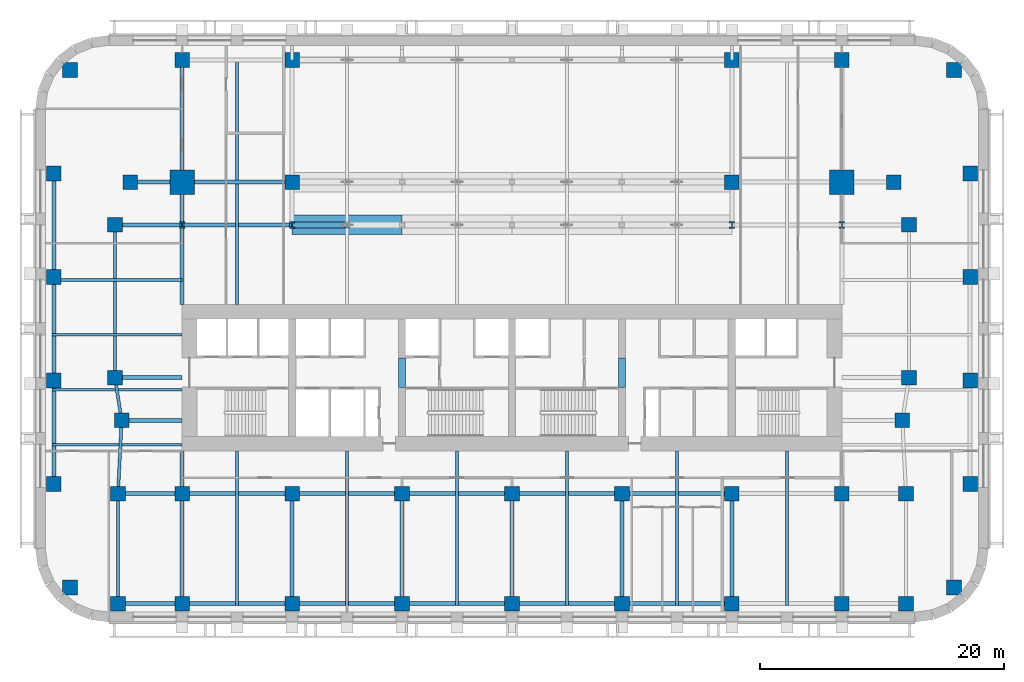
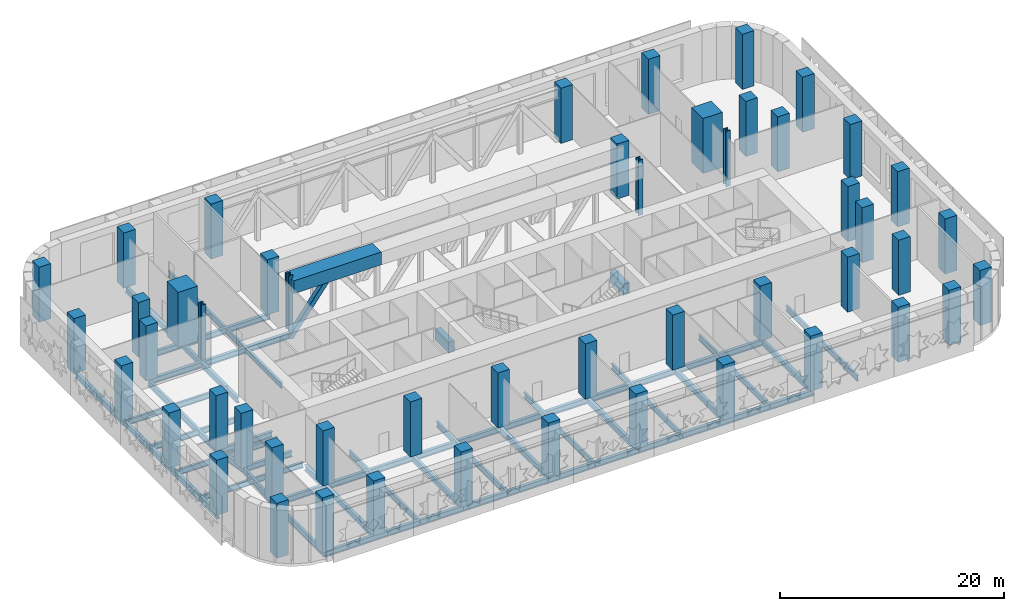
# One storey, part 1 of 15: 50 columns, 38 beams, 1 member.
"""IFC4 building model written with IfcOpenShell, lengths in metres."""

from ifc_helpers import new_model, si_unit, direction, frame, origin, origin_2d, place, context, subcontext, project, spatial, rectangle, hollow_rectangle, i_section, extrude, material, material_profile, profile_set, type_object, element, save


model = new_model("IFC4")

# Units and contexts
model_context = context("Model", 3, precision=1e-05, world=origin(), true_north=direction((0.0, 1.0)))
body_context = subcontext(model_context, "Body", "Model", "MODEL_VIEW")
ifc_project = project(units=[si_unit("LENGTHUNIT", "METRE"), si_unit("AREAUNIT", "SQUARE_METRE"), si_unit("VOLUMEUNIT", "CUBIC_METRE"), si_unit("PLANEANGLEUNIT", "RADIAN"), si_unit("MASSUNIT", "GRAM", prefix="KILO")], contexts=[model_context])

# Site, building, storey
site_placement = place(None, origin())
site = spatial("IfcSite", under=ifc_project, at=site_placement, CompositionType="ELEMENT")
building_placement = place(site_placement, origin())
building = spatial("IfcBuilding", under=site, at=building_placement, Name="Zellij Exchange Tower", CompositionType="ELEMENT")
storey_placement = place(building_placement, frame((0.0, 0.0, 33.0)))
storey = spatial("IfcBuildingStorey", under=building, at=storey_placement, Name="L05", CompositionType="ELEMENT", Elevation=33.0)

# Columns
ifc_material_1 = material(Name="Concrete C70/85", Category="concrete")
ifc_material_profile_1 = material_profile(ifc_material_1, rectangle(XDim=1.199951171875, YDim=1.199951171875, at=origin_2d()), Name="STR-COLUMN RC1200x1200 C70/85")
ifc_profile_set_1 = profile_set([ifc_material_profile_1], Name="Concrete C70/85")
column_type_1 = type_object("IfcColumnType", Name="STR-COLUMN RC1200x1200 C70/85", PredefinedType="COLUMN", material=ifc_profile_set_1)
for number, where, z_axis, x_axis, name in (
    (1, (-32.25, -26.5, 0.0), (0.0, 0.0, 1.0), (1.0, 0.0, 0.0), "C12"),
    (2, (-27.0, -26.5, 0.0), (0.0, 0.0, 1.0), (1.0, 0.0, 0.0), "C12"),
    (3, (-18.0, -26.5, 0.0), (0.0, 0.0, 1.0), (1.0, 0.0, 0.0), "C12"),
    (4, (-9.0, -26.5, 0.0), (0.0, 0.0, 1.0), (1.0, 0.0, 0.0), "C12"),
    (5, (0.0, -26.5, 0.0), (0.0, 0.0, 1.0), (1.0, 0.0, 0.0), "C12"),
    (6, (9.0, -26.5, 0.0), (0.0, 0.0, 1.0), (1.0, 0.0, 0.0), "C12"),
    (7, (18.0, -26.5, 0.0), (0.0, 0.0, 1.0), (1.0, 0.0, 0.0), "C12"),
    (8, (27.0, -26.5, 0.0), (0.0, 0.0, 1.0), (1.0, 0.0, 0.0), "C12"),
    (9, (32.25, -26.5, 0.0), (0.0, 0.0, 1.0), (1.0, 0.0, 0.0), "C12"),
    (10, (-36.181884765625, -25.181884765625, 0.0), (0.0, 0.0, 1.0), (1.0, 0.0, 0.0), "C12"),
    (11, (36.181884765625, -25.181884765625, 0.0), (0.0, 0.0, 1.0), (1.0, 0.0, 0.0), "C12"),
    (12, (-32.25, -17.5, 0.0), (0.0, 0.0, 1.0), (1.0, 0.0, 0.0), "C12"),
    (13, (-27.0, -17.5, 0.0), (0.0, 0.0, 1.0), (1.0, 0.0, 0.0), "C12"),
    (14, (-18.0, -17.5, 0.0), (0.0, 0.0, 1.0), (1.0, 0.0, 0.0), "C12"),
    (15, (-9.0, -17.5, 0.0), (0.0, 0.0, 1.0), (1.0, 0.0, 0.0), "C12"),
    (16, (0.0, -17.5, 0.0), (0.0, 0.0, 1.0), (1.0, 0.0, 0.0), "C12"),
    (17, (9.0, -17.5, 0.0), (0.0, 0.0, 1.0), (1.0, 0.0, 0.0), "C12"),
    (18, (18.0, -17.5, 0.0), (0.0, 0.0, 1.0), (1.0, 0.0, 0.0), "C12"),
    (19, (27.0, -17.5, 0.0), (0.0, 0.0, 1.0), (1.0, 0.0, 0.0), "C12"),
    (20, (32.25, -17.5, 0.0), (0.0, 0.0, 1.0), (1.0, 0.0, 0.0), "C12"),
    (21, (-37.5, -16.709228515625, 0.0), (0.0, 0.0, 1.0), (1.0, 0.0, 0.0), "C12"),
    (22, (37.5, -16.709228515625, 0.0), (0.0, 0.0, 1.0), (1.0, 0.0, 0.0), "C12"),
    (23, (-31.949951171875, -11.5, 0.0), (0.0, 0.0, 1.0), (1.0, 0.0, 0.0), "C12"),
    (24, (31.949951171875, -11.5, 0.0), (0.0, 0.0, 1.0), (1.0, 0.0, 0.0), "C12"),
    (25, (-37.5, -8.236328125, 0.0), (0.0, 0.0, 1.0), (1.0, 0.0, 0.0), "C12"),
    (26, (37.5, -8.236328125, 0.0), (0.0, 0.0, 1.0), (1.0, 0.0, 0.0), "C12"),
    (27, (-32.5, -8.0, 0.0), (0.0, 0.0, 1.0), (1.0, 0.0, 0.0), "C12"),
    (28, (32.5, -8.0, 0.0), (0.0, 0.0, 1.0), (1.0, 0.0, 0.0), "C12"),
    (29, (-37.5, 0.236328125, 0.0), (0.0, 0.0, 1.0), (1.0, 0.0, 0.0), "C12"),
    (30, (37.5, 0.236328125, 0.0), (0.0, 0.0, 1.0), (1.0, 0.0, 0.0), "C12"),
    (31, (-32.5, 4.5, 0.0), (0.0, 0.0, 1.0), (1.0, 0.0, 0.0), "C12"),
    (32, (32.5, 4.5, 0.0), (0.0, 0.0, 1.0), (1.0, 0.0, 0.0), "C12"),
    (33, (-31.25, 8.0, 0.0), (0.0, 0.0, 1.0), (1.0, 0.0, 0.0), "C12"),
    (34, (-18.0, 8.0, 0.0), (0.0, 0.0, 1.0), (1.0, 0.0, 0.0), "C12"),
    (35, (18.0, 8.0, 0.0), (0.0, 0.0, 1.0), (1.0, 0.0, 0.0), "C12"),
    (36, (31.25, 8.0, 0.0), (0.0, 0.0, 1.0), (1.0, 0.0, 0.0), "C12"),
    (37, (-37.5, 8.709228515625, 0.0), (0.0, 0.0, 1.0), (1.0, 0.0, 0.0), "C12"),
    (38, (37.5, 8.709228515625, 0.0), (0.0, 0.0, 1.0), (1.0, 0.0, 0.0), "C12"),
    (39, (-36.181884765625, 17.181884765625, 0.0), (0.0, 0.0, 1.0), (1.0, 0.0, 0.0), "C12"),
    (40, (36.181884765625, 17.181884765625, 0.0), (0.0, 0.0, 1.0), (1.0, 0.0, 0.0), "C12"),
    (41, (-27.0, 18.0, 0.0), (0.0, 0.0, 1.0), (1.0, 0.0, 0.0), "C12"),
    (42, (-18.0, 18.0, 0.0), (0.0, 0.0, 1.0), (1.0, 0.0, 0.0), "C12"),
    (43, (18.0, 18.0, 0.0), (0.0, 0.0, 1.0), (1.0, 0.0, 0.0), "C12"),
    (44, (27.0, 18.0, 0.0), (0.0, 0.0, 1.0), (1.0, 0.0, 0.0), "C12"),
):
    element("IfcColumn", number, at=place(storey_placement, frame(where, z_axis=z_axis, x_axis=x_axis)), inside=storey, type_object=column_type_1, Name=name, PredefinedType="COLUMN", context=body_context, shape_type="SweptSolid", body=[
        extrude(rectangle(XDim=1.199951171875, YDim=1.199951171875, at=origin_2d()), origin(), (0.0, 0.0, 1.0), 6.0),
    ])
ifc_material_2 = material(Name="Structural steel ASTM A913 Gr 65", Category="steel")
ifc_material_profile_2 = material_profile(ifc_material_2, i_section(OverallWidth=0.45458984375, OverallDepth=0.56884765625, WebThickness=0.077880859375, FlangeThickness=0.124755859375, at=origin_2d()), Name="W14x730")
ifc_profile_set_2 = profile_set([ifc_material_profile_2], Name="Structural steel ASTM A913 Gr 65")
column_type_2 = type_object("IfcColumnType", Name="STR-COLUMN W14x730", PredefinedType="COLUMN", material=ifc_profile_set_2)
for number, where, z_axis, x_axis, name in (
    (45, (-27.0, 4.5, 0.0), (0.0, 0.0, 1.0), (1.0, 0.0, 0.0), "C7"),
    (46, (-18.0, 4.5, 0.0), (0.0, 0.0, 1.0), (1.0, 0.0, 0.0), "C7"),
    (47, (18.0, 4.5, 0.0), (0.0, 0.0, 1.0), (1.0, 0.0, 0.0), "C7"),
    (48, (27.0, 4.5, 0.0), (0.0, 0.0, 1.0), (1.0, 0.0, 0.0), "C7"),
):
    element("IfcColumn", number, at=place(storey_placement, frame(where, z_axis=z_axis, x_axis=x_axis)), inside=storey, type_object=column_type_2, Name=name, PredefinedType="COLUMN", context=body_context, shape_type="SweptSolid", body=[
        extrude(i_section(OverallWidth=0.45458984375, OverallDepth=0.56884765625, WebThickness=0.077880859375, FlangeThickness=0.124755859375, at=origin_2d()), origin(), (0.0, 0.0, 1.0), 6.0),
    ])
ifc_material_profile_3 = material_profile(ifc_material_1, rectangle(XDim=2.0, YDim=2.0, at=origin_2d()), Name="STR-MEGA COLUMN RC2000x2000 C70/85")
ifc_profile_set_3 = profile_set([ifc_material_profile_3], Name="Concrete C70/85")
column_type_3 = type_object("IfcColumnType", Name="STR-MEGA COLUMN RC2000x2000 C70/85", PredefinedType="COLUMN", material=ifc_profile_set_3)
for number, where, z_axis, x_axis, name in (
    (49, (-27.0, 8.0, 0.0), (0.0, 0.0, 1.0), (1.0, 0.0, 0.0), "MC8"),
    (50, (27.0, 8.0, 0.0), (0.0, 0.0, 1.0), (1.0, 0.0, 0.0), "MC8"),
):
    element("IfcColumn", number, at=place(storey_placement, frame(where, z_axis=z_axis, x_axis=x_axis)), inside=storey, type_object=column_type_3, Name=name, PredefinedType="COLUMN", context=body_context, shape_type="SweptSolid", body=[
        extrude(rectangle(XDim=2.0, YDim=2.0, at=origin_2d()), origin(), (0.0, 0.0, 1.0), 6.0),
    ])

# Beams
ifc_material_profile_4 = material_profile(ifc_material_1, rectangle(XDim=0.60009765625, YDim=1.199951171875, at=origin_2d()), Name="CORE-CB 600x1200 C70/85")
ifc_profile_set_4 = profile_set([ifc_material_profile_4], Name="Concrete C70/85")
beam_type_1 = type_object("IfcBeamType", Name="CORE-CB 600x1200 C70/85", PredefinedType="BEAM", material=ifc_profile_set_4)
for number, where, z_axis, x_axis, name in (
    (51, (-9.0, -8.800048828125, 3.0), (0.0, 1.0, 0.0), (-1.0, 0.0, 0.0), "Core coupling beam x -9 L05"),
    (52, (9.0, -8.800048828125, 3.0), (0.0, 1.0, 0.0), (-1.0, 0.0, 0.0), "Core coupling beam x 9 L05"),
):
    element("IfcBeam", number, at=place(storey_placement, frame(where, z_axis=z_axis, x_axis=x_axis)), inside=storey, type_object=beam_type_1, Name=name, PredefinedType="BEAM", context=body_context, shape_type="SweptSolid", body=[
        extrude(rectangle(XDim=0.60009765625, YDim=1.199951171875, at=origin_2d()), origin(), (0.0, 0.0, 1.0), 2.425048828125),
    ])
ifc_material_3 = material(Name="Structural steel ASTM A992 Gr 50", Category="steel")
ifc_material_profile_5 = material_profile(ifc_material_3, i_section(OverallWidth=0.22900390625, OverallDepth=0.612060546875, WebThickness=0.011962890625, FlangeThickness=0.01953125, at=origin_2d()), Name="W24x84")
ifc_profile_set_5 = profile_set([ifc_material_profile_5], Name="Structural steel ASTM A992 Gr 50")
beam_type_2 = type_object("IfcBeamType", Name="STR-BEAM W24x84", PredefinedType="BEAM", material=ifc_profile_set_5)
beam_1_placement = place(storey_placement, frame((-22.5, -26.66259765625, -0.606201171875), z_axis=(0.0, 1.0, 0.0), x_axis=(-1.0, 0.0, 0.0)))
element("IfcBeam", 53, at=beam_1_placement, inside=storey, type_object=beam_type_2, Name="B6", PredefinedType="BEAM", context=body_context, shape_type="SweptSolid", body=[
    extrude(i_section(OverallWidth=0.22900390625, OverallDepth=0.612060546875, WebThickness=0.011962890625, FlangeThickness=0.01953125, at=origin_2d()), origin(), (0.0, 0.0, 1.0), 12.66259765625),
])
beam_2_placement = place(storey_placement, frame((-22.5, -2.0, -0.606201171875), z_axis=(0.0, 1.0, 0.0), x_axis=(-1.0, 0.0, 0.0)))
element("IfcBeam", 54, at=beam_2_placement, inside=storey, type_object=beam_type_2, Name="B6", PredefinedType="BEAM", context=body_context, shape_type="SweptSolid", body=[
    extrude(i_section(OverallWidth=0.22900390625, OverallDepth=0.612060546875, WebThickness=0.011962890625, FlangeThickness=0.01953125, at=origin_2d()), origin(), (0.0, 0.0, 1.0), 20.16259765625),
])
for number, where, z_axis, x_axis, name in (
    (55, (-13.5, -26.66259765625, -0.606201171875), (0.0, 1.0, 0.0), (-1.0, 0.0, 0.0), "B6"),
    (56, (-4.5, -26.66259765625, -0.606201171875), (0.0, 1.0, 0.0), (-1.0, 0.0, 0.0), "B6"),
    (57, (4.5, -26.66259765625, -0.606201171875), (0.0, 1.0, 0.0), (-1.0, 0.0, 0.0), "B6"),
    (58, (13.5, -26.66259765625, -0.606201171875), (0.0, 1.0, 0.0), (-1.0, 0.0, 0.0), "B6"),
    (59, (22.5, -26.66259765625, -0.606201171875), (0.0, 1.0, 0.0), (-1.0, 0.0, 0.0), "B6"),
):
    element("IfcBeam", number, at=place(storey_placement, frame(where, z_axis=z_axis, x_axis=x_axis)), inside=storey, type_object=beam_type_2, Name=name, PredefinedType="BEAM", context=body_context, shape_type="SweptSolid", body=[
        extrude(i_section(OverallWidth=0.22900390625, OverallDepth=0.612060546875, WebThickness=0.011962890625, FlangeThickness=0.01953125, at=origin_2d()), origin(), (0.0, 0.0, 1.0), 12.66259765625),
    ])
for number, where, z_axis, x_axis, name in (
    (60, (-37.66259765625, -13.5, -0.606201171875), (1.0, 0.0, 0.0), (0.0, 1.0, 0.0), "B6"),
    (61, (-37.66259765625, -9.0, -0.606201171875), (1.0, 0.0, 0.0), (0.0, 1.0, 0.0), "B6"),
    (62, (-37.66259765625, -4.5, -0.606201171875), (1.0, 0.0, 0.0), (0.0, 1.0, 0.0), "B6"),
    (63, (-37.66259765625, 0.0, -0.606201171875), (1.0, 0.0, 0.0), (0.0, 1.0, 0.0), "B6"),
):
    element("IfcBeam", number, at=place(storey_placement, frame(where, z_axis=z_axis, x_axis=x_axis)), inside=storey, type_object=beam_type_2, Name=name, PredefinedType="BEAM", context=body_context, shape_type="SweptSolid", body=[
        extrude(i_section(OverallWidth=0.22900390625, OverallDepth=0.612060546875, WebThickness=0.011962890625, FlangeThickness=0.01953125, at=origin_2d()), origin(), (0.0, 0.0, 1.0), 10.66259765625),
    ])
ifc_material_profile_6 = material_profile(ifc_material_3, i_section(OverallWidth=0.25390625, OverallDepth=0.67822265625, WebThickness=0.01171875, FlangeThickness=0.016357421875, at=origin_2d()), Name="W27x84")
ifc_profile_set_6 = profile_set([ifc_material_profile_6], Name="Structural steel ASTM A992 Gr 50")
beam_type_3 = type_object("IfcBeamType", Name="STR-EDGE GIRDER W27x84", PredefinedType="BEAM", material=ifc_profile_set_6)
beam_3_placement = place(storey_placement, frame((-32.25, -26.5, -0.63916015625), z_axis=(0.0, 1.0, 0.0), x_axis=(-1.0, 0.0, 0.0)))
element("IfcBeam", 64, at=beam_3_placement, inside=storey, type_object=beam_type_3, Name="EB7", PredefinedType="BEAM", context=body_context, shape_type="SweptSolid", body=[
    extrude(i_section(OverallWidth=0.25390625, OverallDepth=0.67822265625, WebThickness=0.01171875, FlangeThickness=0.016357421875, at=origin_2d()), origin(), (0.0, 0.0, 1.0), 9.0),
])
beam_4_placement = place(storey_placement, frame((-32.25, -17.5, -0.63916015625), z_axis=(0.049945724537, 0.998751933465, 0.0), x_axis=(-0.998751933465, 0.049945724537, 0.0)))
element("IfcBeam", 65, at=beam_4_placement, inside=storey, type_object=beam_type_3, Name="EB7", PredefinedType="BEAM", context=body_context, shape_type="SweptSolid", body=[
    extrude(i_section(OverallWidth=0.25390625, OverallDepth=0.67822265625, WebThickness=0.01171875, FlangeThickness=0.016357421875, at=origin_2d()), origin(), (0.0, 0.0, 1.0), 6.007568359375),
])
beam_5_placement = place(storey_placement, frame((-31.949951171875, -11.5, -0.63916015625), z_axis=(-0.155251283593, 0.987875011802, 0.0), x_axis=(-0.987875011802, -0.155251283593, 0.0)))
element("IfcBeam", 66, at=beam_5_placement, inside=storey, type_object=beam_type_3, Name="EB7", PredefinedType="BEAM", context=body_context, shape_type="SweptSolid", body=[
    extrude(i_section(OverallWidth=0.25390625, OverallDepth=0.67822265625, WebThickness=0.01171875, FlangeThickness=0.016357421875, at=origin_2d()), origin(), (0.0, 0.0, 1.0), 3.54296875),
])
beam_6_placement = place(storey_placement, frame((-32.5, -8.0, -0.63916015625), z_axis=(0.0, 1.0, 0.0), x_axis=(-1.0, 0.0, 0.0)))
element("IfcBeam", 67, at=beam_6_placement, inside=storey, type_object=beam_type_3, Name="EB7", PredefinedType="BEAM", context=body_context, shape_type="SweptSolid", body=[
    extrude(i_section(OverallWidth=0.25390625, OverallDepth=0.67822265625, WebThickness=0.01171875, FlangeThickness=0.016357421875, at=origin_2d()), origin(), (0.0, 0.0, 1.0), 12.5),
])
ifc_material_profile_7 = material_profile(ifc_material_3, i_section(OverallWidth=0.3251953125, OverallDepth=0.612060546875, WebThickness=0.0126953125, FlangeThickness=0.01904296875, at=origin_2d()), Name="W24x104")
ifc_profile_set_7 = profile_set([ifc_material_profile_7], Name="Structural steel ASTM A992 Gr 50")
beam_type_4 = type_object("IfcBeamType", Name="STR-GIRDER W24x104", PredefinedType="BEAM", material=ifc_profile_set_7)
beam_7_placement = place(storey_placement, frame((-32.25, -26.5, -0.606201171875), z_axis=(1.0, 0.0, 0.0), x_axis=(0.0, 1.0, 0.0)))
element("IfcBeam", 68, at=beam_7_placement, inside=storey, type_object=beam_type_4, Name="G3", PredefinedType="BEAM", context=body_context, shape_type="SweptSolid", body=[
    extrude(i_section(OverallWidth=0.3251953125, OverallDepth=0.612060546875, WebThickness=0.0126953125, FlangeThickness=0.01904296875, at=origin_2d()), origin(), (0.0, 0.0, 1.0), 14.25),
])
for number, where, z_axis, x_axis, name in (
    (69, (-18.0, -26.5, -0.606201171875), (1.0, 0.0, 0.0), (0.0, 1.0, 0.0), "G3"),
    (70, (0.0, -26.5, -0.606201171875), (1.0, 0.0, 0.0), (0.0, 1.0, 0.0), "G3"),
):
    element("IfcBeam", number, at=place(storey_placement, frame(where, z_axis=z_axis, x_axis=x_axis)), inside=storey, type_object=beam_type_4, Name=name, PredefinedType="BEAM", context=body_context, shape_type="SweptSolid", body=[
        extrude(i_section(OverallWidth=0.3251953125, OverallDepth=0.612060546875, WebThickness=0.0126953125, FlangeThickness=0.01904296875, at=origin_2d()), origin(), (0.0, 0.0, 1.0), 18.0),
    ])
beam_8_placement = place(storey_placement, frame((-32.25, -17.5, -0.606201171875), z_axis=(1.0, 0.0, 0.0), x_axis=(0.0, 1.0, 0.0)))
element("IfcBeam", 71, at=beam_8_placement, inside=storey, type_object=beam_type_4, Name="G3", PredefinedType="BEAM", context=body_context, shape_type="SweptSolid", body=[
    extrude(i_section(OverallWidth=0.3251953125, OverallDepth=0.612060546875, WebThickness=0.0126953125, FlangeThickness=0.01904296875, at=origin_2d()), origin(), (0.0, 0.0, 1.0), 14.25),
])
for number, where, z_axis, x_axis, name in (
    (72, (-18.0, -17.5, -0.606201171875), (1.0, 0.0, 0.0), (0.0, 1.0, 0.0), "G3"),
    (73, (0.0, -17.5, -0.606201171875), (1.0, 0.0, 0.0), (0.0, 1.0, 0.0), "G3"),
):
    element("IfcBeam", number, at=place(storey_placement, frame(where, z_axis=z_axis, x_axis=x_axis)), inside=storey, type_object=beam_type_4, Name=name, PredefinedType="BEAM", context=body_context, shape_type="SweptSolid", body=[
        extrude(i_section(OverallWidth=0.3251953125, OverallDepth=0.612060546875, WebThickness=0.0126953125, FlangeThickness=0.01904296875, at=origin_2d()), origin(), (0.0, 0.0, 1.0), 18.0),
    ])
beam_9_placement = place(storey_placement, frame((-31.949951171875, -11.5, -0.606201171875), z_axis=(1.0, 0.0, 0.0), x_axis=(0.0, 1.0, 0.0)))
element("IfcBeam", 74, at=beam_9_placement, inside=storey, type_object=beam_type_4, Name="G3", PredefinedType="BEAM", context=body_context, shape_type="SweptSolid", body=[
    extrude(i_section(OverallWidth=0.3251953125, OverallDepth=0.612060546875, WebThickness=0.0126953125, FlangeThickness=0.01904296875, at=origin_2d()), origin(), (0.0, 0.0, 1.0), 4.949951171875),
])
beam_10_placement = place(storey_placement, frame((-32.5, -8.0, -0.606201171875), z_axis=(1.0, 0.0, 0.0), x_axis=(0.0, 1.0, 0.0)))
element("IfcBeam", 75, at=beam_10_placement, inside=storey, type_object=beam_type_4, Name="G3", PredefinedType="BEAM", context=body_context, shape_type="SweptSolid", body=[
    extrude(i_section(OverallWidth=0.3251953125, OverallDepth=0.612060546875, WebThickness=0.0126953125, FlangeThickness=0.01904296875, at=origin_2d()), origin(), (0.0, 0.0, 1.0), 5.5),
])
beam_11_placement = place(storey_placement, frame((-32.5, 4.5, -0.606201171875), z_axis=(1.0, 0.0, 0.0), x_axis=(0.0, 1.0, 0.0)))
element("IfcBeam", 76, at=beam_11_placement, inside=storey, type_object=beam_type_4, Name="G3", PredefinedType="BEAM", context=body_context, shape_type="SweptSolid", body=[
    extrude(i_section(OverallWidth=0.3251953125, OverallDepth=0.612060546875, WebThickness=0.0126953125, FlangeThickness=0.01904296875, at=origin_2d()), origin(), (0.0, 0.0, 1.0), 14.5),
])
beam_12_placement = place(storey_placement, frame((-31.25, 8.0, -0.606201171875), z_axis=(1.0, 0.0, 0.0), x_axis=(0.0, 1.0, 0.0)))
element("IfcBeam", 77, at=beam_12_placement, inside=storey, type_object=beam_type_4, Name="G3", PredefinedType="BEAM", context=body_context, shape_type="SweptSolid", body=[
    extrude(i_section(OverallWidth=0.3251953125, OverallDepth=0.612060546875, WebThickness=0.0126953125, FlangeThickness=0.01904296875, at=origin_2d()), origin(), (0.0, 0.0, 1.0), 13.25),
])
beam_13_placement = place(storey_placement, frame((-37.5, -16.708984375, -0.606201171875), z_axis=(0.0, 1.0, 0.0), x_axis=(-1.0, 0.0, 0.0)))
element("IfcBeam", 78, at=beam_13_placement, inside=storey, type_object=beam_type_4, Name="G3", PredefinedType="BEAM", context=body_context, shape_type="SweptSolid", body=[
    extrude(i_section(OverallWidth=0.3251953125, OverallDepth=0.612060546875, WebThickness=0.0126953125, FlangeThickness=0.01904296875, at=origin_2d()), origin(), (0.0, 0.0, 1.0), 16.945068359375),
])
beam_14_placement = place(storey_placement, frame((-37.5, 0.236083984375, -0.606201171875), z_axis=(0.0, 1.0, 0.0), x_axis=(-1.0, 0.0, 0.0)))
element("IfcBeam", 79, at=beam_14_placement, inside=storey, type_object=beam_type_4, Name="G3", PredefinedType="BEAM", context=body_context, shape_type="SweptSolid", body=[
    extrude(i_section(OverallWidth=0.3251953125, OverallDepth=0.612060546875, WebThickness=0.0126953125, FlangeThickness=0.01904296875, at=origin_2d()), origin(), (0.0, 0.0, 1.0), 8.472900390625),
])
beam_15_placement = place(storey_placement, frame((-27.0, -26.5, -0.606201171875), z_axis=(0.0, 1.0, 0.0), x_axis=(-1.0, 0.0, 0.0)))
element("IfcBeam", 80, at=beam_15_placement, inside=storey, type_object=beam_type_4, Name="G3", PredefinedType="BEAM", context=body_context, shape_type="SweptSolid", body=[
    extrude(i_section(OverallWidth=0.3251953125, OverallDepth=0.612060546875, WebThickness=0.0126953125, FlangeThickness=0.01904296875, at=origin_2d()), origin(), (0.0, 0.0, 1.0), 12.5),
])
for number, where, z_axis, x_axis, name in (
    (81, (-27.0, -2.0, -0.606201171875), (0.0, 1.0, 0.0), (-1.0, 0.0, 0.0), "G3"),
    (82, (-27.0, 8.0, -0.606201171875), (0.0, 1.0, 0.0), (-1.0, 0.0, 0.0), "G3"),
):
    element("IfcBeam", number, at=place(storey_placement, frame(where, z_axis=z_axis, x_axis=x_axis)), inside=storey, type_object=beam_type_4, Name=name, PredefinedType="BEAM", context=body_context, shape_type="SweptSolid", body=[
        extrude(i_section(OverallWidth=0.3251953125, OverallDepth=0.612060546875, WebThickness=0.0126953125, FlangeThickness=0.01904296875, at=origin_2d()), origin(), (0.0, 0.0, 1.0), 10.0),
    ])
for number, where, z_axis, x_axis, name in (
    (83, (-18.0, -26.5, -0.606201171875), (0.0, 1.0, 0.0), (-1.0, 0.0, 0.0), "G3"),
    (84, (-9.0, -26.5, -0.606201171875), (0.0, 1.0, 0.0), (-1.0, 0.0, 0.0), "G3"),
    (85, (0.0, -26.5, -0.606201171875), (0.0, 1.0, 0.0), (-1.0, 0.0, 0.0), "G3"),
    (86, (9.0, -26.5, -0.606201171875), (0.0, 1.0, 0.0), (-1.0, 0.0, 0.0), "G3"),
    (87, (18.0, -26.5, -0.606201171875), (0.0, 1.0, 0.0), (-1.0, 0.0, 0.0), "G3"),
):
    element("IfcBeam", number, at=place(storey_placement, frame(where, z_axis=z_axis, x_axis=x_axis)), inside=storey, type_object=beam_type_4, Name=name, PredefinedType="BEAM", context=body_context, shape_type="SweptSolid", body=[
        extrude(i_section(OverallWidth=0.3251953125, OverallDepth=0.612060546875, WebThickness=0.0126953125, FlangeThickness=0.01904296875, at=origin_2d()), origin(), (0.0, 0.0, 1.0), 9.0),
    ])
ifc_material_profile_8 = material_profile(ifc_material_1, rectangle(XDim=1.60009765625, YDim=1.39990234375, at=origin_2d()), Name="STR-HALL TRANSFER GIRDER RC1600x1400 C70/85")
ifc_profile_set_8 = profile_set([ifc_material_profile_8], Name="Concrete C70/85")
beam_type_5 = type_object("IfcBeamType", Name="STR-HALL TRANSFER GIRDER RC1600x1400 C70/85", PredefinedType="BEAM", material=ifc_profile_set_8)
beam_16_placement = place(storey_placement, frame((-18.0, 4.5, 5.050048828125), z_axis=(1.0, 0.0, 0.0), x_axis=(0.0, 1.0, 0.0)))
element("IfcBeam", 88, at=beam_16_placement, inside=storey, type_object=beam_type_5, Name="HG1", PredefinedType="BEAM", context=body_context, shape_type="SweptSolid", body=[
    extrude(rectangle(XDim=1.60009765625, YDim=1.39990234375, at=origin_2d()), origin(), (0.0, 0.0, 1.0), 9.0),
])

# Member
ifc_material_4 = material(Name="Structural steel ASTM A500 Gr C", Category="steel")
ifc_material_profile_9 = material_profile(ifc_material_4, hollow_rectangle(XDim=0.508056640625, YDim=0.508056640625, WallThickness=0.0146484375, InnerFilletRadius=0.0146484375, OuterFilletRadius=0.029541015625, at=origin_2d()), Name="STR-PODIUM TRANSFER TRUSS DIAGONAL HSS20x20x5/8")
ifc_profile_set_9 = profile_set([ifc_material_profile_9], Name="Structural steel ASTM A500 Gr C")
member_type = type_object("IfcMemberType", Name="STR-PODIUM TRANSFER TRUSS DIAGONAL HSS20x20x5/8", PredefinedType="BRACE", material=ifc_profile_set_9)
member_placement = place(storey_placement, frame((-18.0, 4.5, -0.84619140625), z_axis=(0.606693572465, 0.0, 0.794935789312), x_axis=(0.0, 1.0, 0.0)))
element("IfcMember", 89, at=member_placement, inside=storey, type_object=member_type, Name="PT2", PredefinedType="BRACE", context=body_context, shape_type="SweptSolid", body=[
    extrude(hollow_rectangle(XDim=0.508056640625, YDim=0.508056640625, WallThickness=0.0146484375, InnerFilletRadius=0.0146484375, OuterFilletRadius=0.029541015625, at=origin_2d()), origin(), (0.0, 0.0, 1.0), 7.417236328125),
])

save(model, "model.ifc")
